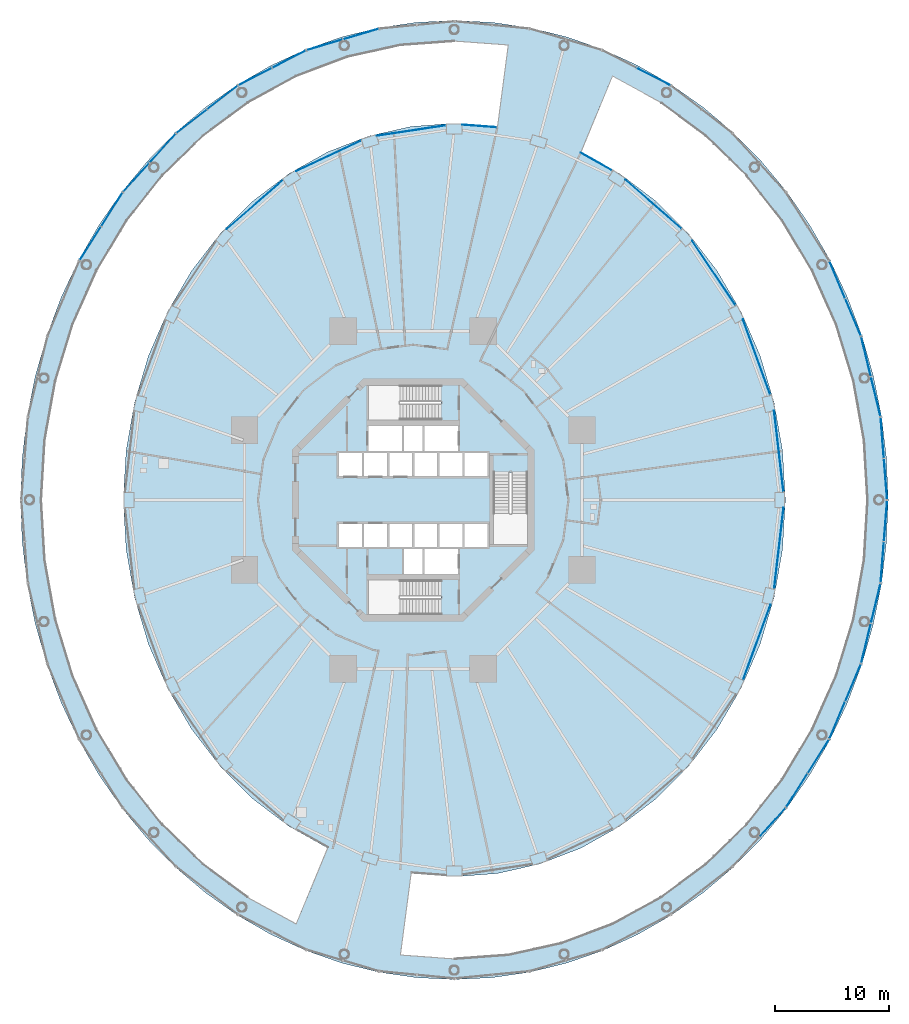
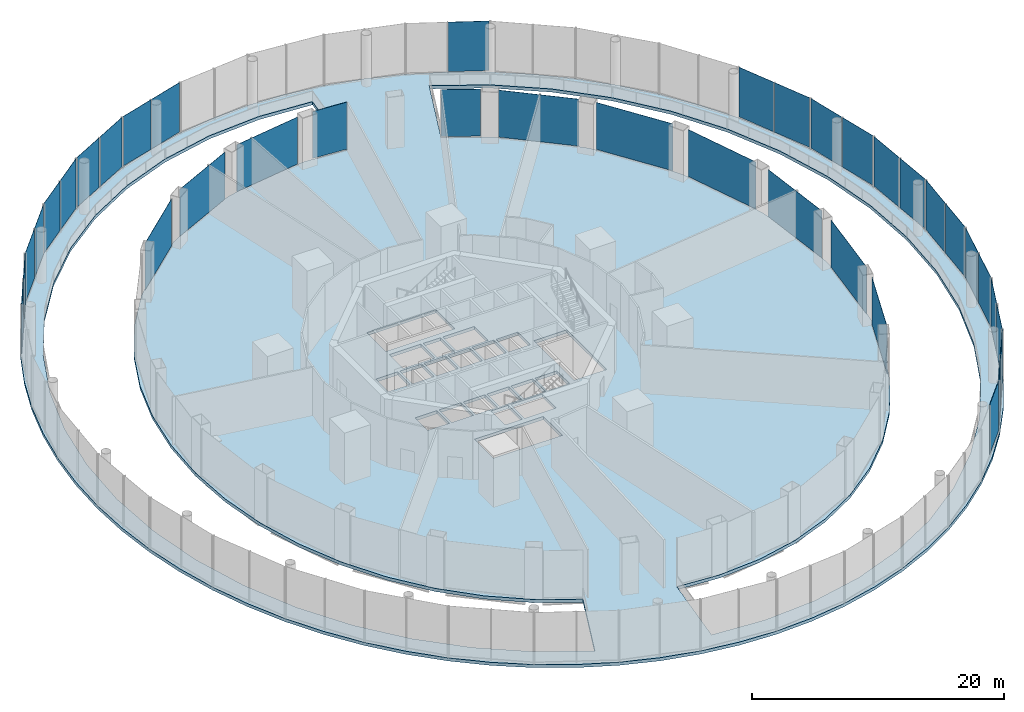
# One storey, part 40 of 47: 37 plates, 1 slab, 25 elements without a shape of their own.
"""IFC4 building model written with IfcOpenShell, lengths in metres."""

from ifc_helpers import new_model, si_unit, direction, frame, origin, origin_2d, place, context, subcontext, project, spatial, polyline, rectangle, outline, extrude, material, layer, layer_set, type_object, element, aggregate, save


model = new_model("IFC4")

# Units and contexts
model_context = context("Model", 3, precision=1e-05, world=origin(), true_north=direction((0.0, 1.0)))
body_context = subcontext(model_context, "Body", "Model", "MODEL_VIEW")
ifc_project = project(units=[si_unit("LENGTHUNIT", "METRE"), si_unit("AREAUNIT", "SQUARE_METRE"), si_unit("VOLUMEUNIT", "CUBIC_METRE"), si_unit("PLANEANGLEUNIT", "RADIAN"), si_unit("MASSUNIT", "GRAM", prefix="KILO")], contexts=[model_context])

# Site, building, storey
site_placement = place(None, origin())
site = spatial("IfcSite", under=ifc_project, at=site_placement, CompositionType="ELEMENT")
building_placement = place(site_placement, origin())
building = spatial("IfcBuilding", under=site, at=building_placement, Name="Nagisa Residences", CompositionType="ELEMENT")
storey_placement = place(building_placement, frame((0.0, 0.0, 7.0)))
storey = spatial("IfcBuildingStorey", under=building, at=storey_placement, Name="L01", CompositionType="ELEMENT", Elevation=7.0)

# Curtain wall, plates
ifc_material_1 = material(Name="Stainless steel curtain wall system", Category="steel")
ifc_layer_1 = layer(ifc_material_1, 0.159912109375)
ifc_layer_set_1 = layer_set([ifc_layer_1], Name="CW3 CURTAIN WALL")
curtain_wall_type_1 = type_object("IfcCurtainWallType", Name="CW3 CURTAIN WALL", PredefinedType="NOTDEFINED", material=ifc_layer_set_1)
curtain_wall_1_placement = place(storey_placement, origin())
curtain_wall_1 = element("IfcCurtainWall", 1, at=curtain_wall_1_placement, inside=storey, type_object=curtain_wall_type_1, Name="cw:CW3:L01:00", PredefinedType="NOTDEFINED")
ifc_material_2 = material(Name="Low-iron laminated glass", Category="glass")
ifc_layer_2 = layer(ifc_material_2, 0.028076171875)
ifc_layer_set_2 = layer_set([ifc_layer_2], Name="CW3 GLASS PANEL")
plate_type_1 = type_object("IfcPlateType", Name="CW3 GLASS PANEL", PredefinedType="CURTAIN_PANEL", material=ifc_layer_set_2)
plate_1_placement = place(storey_placement, frame((41.374267578125, 1.8369140625, 0.2001953125), z_axis=(0.0, 0.0, 1.0), x_axis=(-0.078909582539, 0.996881777235, 0.0)))
plate_1 = element("IfcPlate", 2, at=plate_1_placement, type_object=plate_type_1, Name="CW3 panel", PredefinedType="CURTAIN_PANEL", context=body_context, shape_type="SweptSolid", body=[
    extrude(rectangle(XDim=3.5380859375, YDim=0.028076171875, at=origin_2d()), origin(), (0.0, 0.0, 1.0), 4.800048828125),
])
plate_2_placement = place(storey_placement, frame((41.0888671875, 5.443603515625, 0.2001953125), z_axis=(0.0, 0.0, 1.0), x_axis=(-0.078909582539, 0.996881777235, 0.0)))
plate_2 = element("IfcPlate", 3, at=plate_2_placement, type_object=plate_type_1, Name="CW3 panel", PredefinedType="CURTAIN_PANEL", context=body_context, shape_type="SweptSolid", body=[
    extrude(rectangle(XDim=3.5380859375, YDim=0.028076171875, at=origin_2d()), origin(), (0.0, 0.0, 1.0), 4.800048828125),
])
aggregate(curtain_wall_1, [plate_1, plate_2])

curtain_wall_2_placement = place(storey_placement, origin())
curtain_wall_2 = element("IfcCurtainWall", 4, at=curtain_wall_2_placement, inside=storey, type_object=curtain_wall_type_1, Name="cw:CW3:L01:01", PredefinedType="NOTDEFINED")
plate_3_placement = place(storey_placement, frame((40.51171875, 9.061767578125, 0.2001953125), z_axis=(0.0, 0.0, 1.0), x_axis=(-0.235605514043, 0.971848775146, 0.0)))
plate_3 = element("IfcPlate", 5, at=plate_3_placement, type_object=plate_type_1, Name="CW3 panel", PredefinedType="CURTAIN_PANEL", context=body_context, shape_type="SweptSolid", body=[
    extrude(rectangle(XDim=3.518310546875, YDim=0.028076171875, at=origin_2d()), origin(), (0.0, 0.0, 1.0), 4.800048828125),
])
plate_4_placement = place(storey_placement, frame((39.663818359375, 12.55859375, 0.2001953125), z_axis=(0.0, 0.0, 1.0), x_axis=(-0.235605514043, 0.971848775146, 0.0)))
plate_4 = element("IfcPlate", 6, at=plate_4_placement, type_object=plate_type_1, Name="CW3 panel", PredefinedType="CURTAIN_PANEL", context=body_context, shape_type="SweptSolid", body=[
    extrude(rectangle(XDim=3.518310546875, YDim=0.028076171875, at=origin_2d()), origin(), (0.0, 0.0, 1.0), 4.800048828125),
])
aggregate(curtain_wall_2, [plate_3, plate_4])

curtain_wall_3_placement = place(storey_placement, origin())
curtain_wall_3 = element("IfcCurtainWall", 7, at=curtain_wall_3_placement, inside=storey, type_object=curtain_wall_type_1, Name="cw:CW3:L01:02", PredefinedType="NOTDEFINED")
plate_5_placement = place(storey_placement, frame((38.527099609375, 16.010986328125, 0.2001953125), z_axis=(0.0, 0.0, 1.0), x_axis=(-0.388718029417, 0.921356767819, 0.0)))
plate_5 = element("IfcPlate", 8, at=plate_5_placement, type_object=plate_type_1, Name="CW3 panel", PredefinedType="CURTAIN_PANEL", context=body_context, shape_type="SweptSolid", body=[
    extrude(rectangle(XDim=3.480712890625, YDim=0.028076171875, at=origin_2d()), origin(), (0.0, 0.0, 1.0), 4.800048828125),
])
plate_6_placement = place(storey_placement, frame((37.142822265625, 19.291748046875, 0.2001953125), z_axis=(0.0, 0.0, 1.0), x_axis=(-0.388718029417, 0.921356767819, 0.0)))
plate_6 = element("IfcPlate", 9, at=plate_6_placement, type_object=plate_type_1, Name="CW3 panel", PredefinedType="CURTAIN_PANEL", context=body_context, shape_type="SweptSolid", body=[
    extrude(rectangle(XDim=3.480712890625, YDim=0.028076171875, at=origin_2d()), origin(), (0.0, 0.0, 1.0), 4.800048828125),
])
aggregate(curtain_wall_3, [plate_5, plate_6])

# Curtain wall, plate
curtain_wall_4_placement = place(storey_placement, origin())
curtain_wall_4 = element("IfcCurtainWall", 10, at=curtain_wall_4_placement, inside=storey, type_object=curtain_wall_type_1, Name="cw:CW3:L01:06", PredefinedType="NOTDEFINED")
plate_7_placement = place(storey_placement, frame((21.044677734375, 37.084716796875, 0.2001953125), z_axis=(0.0, 0.0, 1.0), x_axis=(-0.888887270285, 0.45812598783, 0.0)))
plate_7 = element("IfcPlate", 11, at=plate_7_placement, type_object=plate_type_1, Name="CW3 panel", PredefinedType="CURTAIN_PANEL", context=body_context, shape_type="SweptSolid", body=[
    extrude(rectangle(XDim=3.2568359375, YDim=0.028076171875, at=origin_2d()), origin(), (0.0, 0.0, 1.0), 4.800048828125),
])
aggregate(curtain_wall_4, [plate_7])

# Curtain wall, plates
curtain_wall_5_placement = place(storey_placement, origin())
curtain_wall_5 = element("IfcCurtainWall", 12, at=curtain_wall_5_placement, inside=storey, type_object=curtain_wall_type_1, Name="cw:CW3:L01:10", PredefinedType="NOTDEFINED")
plate_8_placement = place(storey_placement, frame((-4.5947265625, 40.805908203125, 0.2001953125), z_axis=(0.0, 0.0, 1.0), x_axis=(-0.958835171393, -0.283963226669, 0.0)))
plate_8 = element("IfcPlate", 13, at=plate_8_placement, type_object=plate_type_1, Name="CW3 panel", PredefinedType="CURTAIN_PANEL", context=body_context, shape_type="SweptSolid", body=[
    extrude(rectangle(XDim=3.21630859375, YDim=0.028076171875, at=origin_2d()), origin(), (0.0, 0.0, 1.0), 4.800048828125),
])
plate_9_placement = place(storey_placement, frame((-7.75537109375, 39.869873046875, 0.2001953125), z_axis=(0.0, 0.0, 1.0), x_axis=(-0.958835171393, -0.283963226669, 0.0)))
plate_9 = element("IfcPlate", 14, at=plate_9_placement, type_object=plate_type_1, Name="CW3 panel", PredefinedType="CURTAIN_PANEL", context=body_context, shape_type="SweptSolid", body=[
    extrude(rectangle(XDim=3.21630859375, YDim=0.028076171875, at=origin_2d()), origin(), (0.0, 0.0, 1.0), 4.800048828125),
])
aggregate(curtain_wall_5, [plate_8, plate_9])

curtain_wall_6_placement = place(storey_placement, origin())
curtain_wall_6 = element("IfcCurtainWall", 15, at=curtain_wall_6_placement, inside=storey, type_object=curtain_wall_type_1, Name="cw:CW3:L01:11", PredefinedType="NOTDEFINED")
plate_10_placement = place(storey_placement, frame((-10.878662109375, 38.61328125, 0.2001953125), z_axis=(0.0, 0.0, 1.0), x_axis=(-0.888887270285, -0.45812598783, 0.0)))
plate_10 = element("IfcPlate", 16, at=plate_10_placement, type_object=plate_type_1, Name="CW3 panel", PredefinedType="CURTAIN_PANEL", context=body_context, shape_type="SweptSolid", body=[
    extrude(rectangle(XDim=3.2568359375, YDim=0.028076171875, at=origin_2d()), origin(), (0.0, 0.0, 1.0), 4.800048828125),
])
plate_11_placement = place(storey_placement, frame((-13.8447265625, 37.084716796875, 0.2001953125), z_axis=(0.0, 0.0, 1.0), x_axis=(-0.888887270285, -0.45812598783, 0.0)))
plate_11 = element("IfcPlate", 17, at=plate_11_placement, type_object=plate_type_1, Name="CW3 panel", PredefinedType="CURTAIN_PANEL", context=body_context, shape_type="SweptSolid", body=[
    extrude(rectangle(XDim=3.2568359375, YDim=0.028076171875, at=origin_2d()), origin(), (0.0, 0.0, 1.0), 4.800048828125),
])
aggregate(curtain_wall_6, [plate_10, plate_11])

curtain_wall_7_placement = place(storey_placement, origin())
curtain_wall_7 = element("IfcCurtainWall", 18, at=curtain_wall_7_placement, inside=storey, type_object=curtain_wall_type_1, Name="cw:CW3:L01:12", PredefinedType="NOTDEFINED")
plate_12_placement = place(storey_placement, frame((-16.723388671875, 35.247802734375, 0.2001953125), z_axis=(0.0, 0.0, 1.0), x_axis=(-0.790830864353, -0.612034757172, 0.0)))
plate_12 = element("IfcPlate", 19, at=plate_12_placement, type_object=plate_type_1, Name="CW3 panel", PredefinedType="CURTAIN_PANEL", context=body_context, shape_type="SweptSolid", body=[
    extrude(rectangle(XDim=3.310546875, YDim=0.028076171875, at=origin_2d()), origin(), (0.0, 0.0, 1.0), 4.800048828125),
])
plate_13_placement = place(storey_placement, frame((-19.40478515625, 33.172607421875, 0.2001953125), z_axis=(0.0, 0.0, 1.0), x_axis=(-0.790830864353, -0.612034757172, 0.0)))
plate_13 = element("IfcPlate", 20, at=plate_13_placement, type_object=plate_type_1, Name="CW3 panel", PredefinedType="CURTAIN_PANEL", context=body_context, shape_type="SweptSolid", body=[
    extrude(rectangle(XDim=3.310546875, YDim=0.028076171875, at=origin_2d()), origin(), (0.0, 0.0, 1.0), 4.800048828125),
])
aggregate(curtain_wall_7, [plate_12, plate_13])

curtain_wall_8_placement = place(storey_placement, origin())
curtain_wall_8 = element("IfcCurtainWall", 21, at=curtain_wall_8_placement, inside=storey, type_object=curtain_wall_type_1, Name="cw:CW3:L01:13", PredefinedType="NOTDEFINED")
plate_14_placement = place(storey_placement, frame((-21.950927734375, 30.811279296875, 0.2001953125), z_axis=(0.0, 0.0, 1.0), x_axis=(-0.670913323971, -0.741535779122, 0.0)))
plate_14 = element("IfcPlate", 22, at=plate_14_placement, type_object=plate_type_1, Name="CW3 panel", PredefinedType="CURTAIN_PANEL", context=body_context, shape_type="SweptSolid", body=[
    extrude(rectangle(XDim=3.37060546875, YDim=0.028076171875, at=origin_2d()), origin(), (0.0, 0.0, 1.0), 4.800048828125),
])
plate_15_placement = place(storey_placement, frame((-24.26611328125, 28.25244140625, 0.2001953125), z_axis=(0.0, 0.0, 1.0), x_axis=(-0.670913323971, -0.741535779122, 0.0)))
plate_15 = element("IfcPlate", 23, at=plate_15_placement, type_object=plate_type_1, Name="CW3 panel", PredefinedType="CURTAIN_PANEL", context=body_context, shape_type="SweptSolid", body=[
    extrude(rectangle(XDim=3.37060546875, YDim=0.028076171875, at=origin_2d()), origin(), (0.0, 0.0, 1.0), 4.800048828125),
])
aggregate(curtain_wall_8, [plate_14, plate_15])

curtain_wall_9_placement = place(storey_placement, origin())
curtain_wall_9 = element("IfcCurtainWall", 24, at=curtain_wall_9_placement, inside=storey, type_object=curtain_wall_type_1, Name="cw:CW3:L01:14", PredefinedType="NOTDEFINED")
plate_16_placement = place(storey_placement, frame((-26.402587890625, 25.43798828125, 0.2001953125), z_axis=(0.0, 0.0, 1.0), x_axis=(-0.535165286856, -0.844747368001, 0.0)))
plate_16 = element("IfcPlate", 25, at=plate_16_placement, type_object=plate_type_1, Name="CW3 panel", PredefinedType="CURTAIN_PANEL", context=body_context, shape_type="SweptSolid", body=[
    extrude(rectangle(XDim=3.4296875, YDim=0.028076171875, at=origin_2d()), origin(), (0.0, 0.0, 1.0), 4.800048828125),
])
plate_17_placement = place(storey_placement, frame((-28.28076171875, 22.473388671875, 0.2001953125), z_axis=(0.0, 0.0, 1.0), x_axis=(-0.535165286856, -0.844747368001, 0.0)))
plate_17 = element("IfcPlate", 26, at=plate_17_placement, type_object=plate_type_1, Name="CW3 panel", PredefinedType="CURTAIN_PANEL", context=body_context, shape_type="SweptSolid", body=[
    extrude(rectangle(XDim=3.4296875, YDim=0.028076171875, at=origin_2d()), origin(), (0.0, 0.0, 1.0), 4.800048828125),
])
aggregate(curtain_wall_9, [plate_16, plate_17])

# Curtain wall, plate
curtain_wall_10_placement = place(storey_placement, origin())
curtain_wall_10 = element("IfcCurtainWall", 27, at=curtain_wall_10_placement, inside=storey, type_object=curtain_wall_type_1, Name="cw:CW3:L01:31", PredefinedType="NOTDEFINED")
plate_18_placement = place(storey_placement, frame((31.466064453125, -28.25244140625, 0.2001953125), z_axis=(0.0, 0.0, 1.0), x_axis=(0.670913323971, 0.741535779122, 0.0)))
plate_18 = element("IfcPlate", 28, at=plate_18_placement, type_object=plate_type_1, Name="CW3 panel", PredefinedType="CURTAIN_PANEL", context=body_context, shape_type="SweptSolid", body=[
    extrude(rectangle(XDim=3.37060546875, YDim=0.028076171875, at=origin_2d()), origin(), (0.0, 0.0, 1.0), 4.800048828125),
])
aggregate(curtain_wall_10, [plate_18])

# Curtain wall, plates
curtain_wall_11_placement = place(storey_placement, origin())
curtain_wall_11 = element("IfcCurtainWall", 29, at=curtain_wall_11_placement, inside=storey, type_object=curtain_wall_type_1, Name="cw:CW3:L01:32", PredefinedType="NOTDEFINED")
plate_19_placement = place(storey_placement, frame((33.6025390625, -25.43798828125, 0.2001953125), z_axis=(0.0, 0.0, 1.0), x_axis=(0.535165286856, 0.844747368001, 0.0)))
plate_19 = element("IfcPlate", 30, at=plate_19_placement, type_object=plate_type_1, Name="CW3 panel", PredefinedType="CURTAIN_PANEL", context=body_context, shape_type="SweptSolid", body=[
    extrude(rectangle(XDim=3.4296875, YDim=0.028076171875, at=origin_2d()), origin(), (0.0, 0.0, 1.0), 4.800048828125),
])
plate_20_placement = place(storey_placement, frame((35.48095703125, -22.473388671875, 0.2001953125), z_axis=(0.0, 0.0, 1.0), x_axis=(0.535165286856, 0.844747368001, 0.0)))
plate_20 = element("IfcPlate", 31, at=plate_20_placement, type_object=plate_type_1, Name="CW3 panel", PredefinedType="CURTAIN_PANEL", context=body_context, shape_type="SweptSolid", body=[
    extrude(rectangle(XDim=3.4296875, YDim=0.028076171875, at=origin_2d()), origin(), (0.0, 0.0, 1.0), 4.800048828125),
])
aggregate(curtain_wall_11, [plate_19, plate_20])

curtain_wall_12_placement = place(storey_placement, origin())
curtain_wall_12 = element("IfcCurtainWall", 32, at=curtain_wall_12_placement, inside=storey, type_object=curtain_wall_type_1, Name="cw:CW3:L01:33", PredefinedType="NOTDEFINED")
plate_21_placement = place(storey_placement, frame((37.142822265625, -19.291748046875, 0.2001953125), z_axis=(0.0, 0.0, 1.0), x_axis=(0.388718029417, 0.921356767819, 0.0)))
plate_21 = element("IfcPlate", 33, at=plate_21_placement, type_object=plate_type_1, Name="CW3 panel", PredefinedType="CURTAIN_PANEL", context=body_context, shape_type="SweptSolid", body=[
    extrude(rectangle(XDim=3.480712890625, YDim=0.028076171875, at=origin_2d()), origin(), (0.0, 0.0, 1.0), 4.800048828125),
])
plate_22_placement = place(storey_placement, frame((38.527099609375, -16.010986328125, 0.2001953125), z_axis=(0.0, 0.0, 1.0), x_axis=(0.388718029417, 0.921356767819, 0.0)))
plate_22 = element("IfcPlate", 34, at=plate_22_placement, type_object=plate_type_1, Name="CW3 panel", PredefinedType="CURTAIN_PANEL", context=body_context, shape_type="SweptSolid", body=[
    extrude(rectangle(XDim=3.480712890625, YDim=0.028076171875, at=origin_2d()), origin(), (0.0, 0.0, 1.0), 4.800048828125),
])
aggregate(curtain_wall_12, [plate_21, plate_22])

curtain_wall_13_placement = place(storey_placement, origin())
curtain_wall_13 = element("IfcCurtainWall", 35, at=curtain_wall_13_placement, inside=storey, type_object=curtain_wall_type_1, Name="cw:CW3:L01:34", PredefinedType="NOTDEFINED")
plate_23_placement = place(storey_placement, frame((39.663818359375, -12.55859375, 0.2001953125), z_axis=(0.0, 0.0, 1.0), x_axis=(0.235605514043, 0.971848775146, 0.0)))
plate_23 = element("IfcPlate", 36, at=plate_23_placement, type_object=plate_type_1, Name="CW3 panel", PredefinedType="CURTAIN_PANEL", context=body_context, shape_type="SweptSolid", body=[
    extrude(rectangle(XDim=3.518310546875, YDim=0.028076171875, at=origin_2d()), origin(), (0.0, 0.0, 1.0), 4.800048828125),
])
plate_24_placement = place(storey_placement, frame((40.51171875, -9.061767578125, 0.2001953125), z_axis=(0.0, 0.0, 1.0), x_axis=(0.235605514043, 0.971848775146, 0.0)))
plate_24 = element("IfcPlate", 37, at=plate_24_placement, type_object=plate_type_1, Name="CW3 panel", PredefinedType="CURTAIN_PANEL", context=body_context, shape_type="SweptSolid", body=[
    extrude(rectangle(XDim=3.518310546875, YDim=0.028076171875, at=origin_2d()), origin(), (0.0, 0.0, 1.0), 4.800048828125),
])
aggregate(curtain_wall_13, [plate_23, plate_24])

curtain_wall_14_placement = place(storey_placement, origin())
curtain_wall_14 = element("IfcCurtainWall", 38, at=curtain_wall_14_placement, inside=storey, type_object=curtain_wall_type_1, Name="cw:CW3:L01:35", PredefinedType="NOTDEFINED")
plate_25_placement = place(storey_placement, frame((41.0888671875, -5.443603515625, 0.2001953125), z_axis=(0.0, 0.0, 1.0), x_axis=(0.078909582539, 0.996881777235, 0.0)))
plate_25 = element("IfcPlate", 39, at=plate_25_placement, type_object=plate_type_1, Name="CW3 panel", PredefinedType="CURTAIN_PANEL", context=body_context, shape_type="SweptSolid", body=[
    extrude(rectangle(XDim=3.5380859375, YDim=0.028076171875, at=origin_2d()), origin(), (0.0, 0.0, 1.0), 4.800048828125),
])
plate_26_placement = place(storey_placement, frame((41.374267578125, -1.8369140625, 0.2001953125), z_axis=(0.0, 0.0, 1.0), x_axis=(0.078909582539, 0.996881777235, 0.0)))
plate_26 = element("IfcPlate", 40, at=plate_26_placement, type_object=plate_type_1, Name="CW3 panel", PredefinedType="CURTAIN_PANEL", context=body_context, shape_type="SweptSolid", body=[
    extrude(rectangle(XDim=3.5380859375, YDim=0.028076171875, at=origin_2d()), origin(), (0.0, 0.0, 1.0), 4.800048828125),
])
aggregate(curtain_wall_14, [plate_25, plate_26])

# Curtain wall, plate
ifc_material_3 = material(Name="Stainless steel curtain wall system", Category="steel")
ifc_layer_3 = layer(ifc_material_3, 0.159912109375)
ifc_layer_set_3 = layer_set([ifc_layer_3], Name="CW6 CURTAIN WALL")
curtain_wall_type_2 = type_object("IfcCurtainWallType", Name="CW6 CURTAIN WALL", PredefinedType="NOTDEFINED", material=ifc_layer_set_3)
curtain_wall_15_placement = place(storey_placement, origin())
curtain_wall_15 = element("IfcCurtainWall", 41, at=curtain_wall_15_placement, inside=storey, type_object=curtain_wall_type_2, Name="cw:CW6:L01:00", PredefinedType="NOTDEFINED")
ifc_material_4 = material(Name="Low-iron laminated glass", Category="glass")
ifc_layer_4 = layer(ifc_material_4, 0.028076171875)
ifc_layer_set_4 = layer_set([ifc_layer_4], Name="CW6 GLASS PANEL")
plate_type_2 = type_object("IfcPlateType", Name="CW6 GLASS PANEL", PredefinedType="CURTAIN_PANEL", material=ifc_layer_set_4)
plate_27_placement = place(storey_placement, frame((32.02294921875, 4.291015625, 0.14990234375), z_axis=(0.0, 0.0, 1.0), x_axis=(-0.114928006139, 0.993373823596, 0.0)))
plate_27 = element("IfcPlate", 42, at=plate_27_placement, type_object=plate_type_2, Name="CW6 panel", PredefinedType="CURTAIN_PANEL", context=body_context, shape_type="SweptSolid", body=[
    extrude(rectangle(XDim=7.137939453125, YDim=0.028076171875, at=origin_2d()), origin(), (0.0, 0.0, 1.0), 4.550048828125),
])
aggregate(curtain_wall_15, [plate_27])

curtain_wall_16_placement = place(storey_placement, origin())
curtain_wall_16 = element("IfcCurtainWall", 43, at=curtain_wall_16_placement, inside=storey, type_object=curtain_wall_type_2, Name="cw:CW6:L01:02", PredefinedType="NOTDEFINED")
plate_28_placement = place(storey_placement, frame((30.077880859375, 12.521240234375, 0.14990234375), z_axis=(0.0, 0.0, 1.0), x_axis=(-0.342049702176, 0.939681861718, 0.0)))
plate_28 = element("IfcPlate", 44, at=plate_28_placement, type_object=plate_type_2, Name="CW6 panel", PredefinedType="CURTAIN_PANEL", context=body_context, shape_type="SweptSolid", body=[
    extrude(rectangle(XDim=7.009765625, YDim=0.028076171875, at=origin_2d()), origin(), (0.0, 0.0, 1.0), 4.550048828125),
])
aggregate(curtain_wall_16, [plate_28])

curtain_wall_17_placement = place(storey_placement, origin())
curtain_wall_17 = element("IfcCurtainWall", 45, at=curtain_wall_17_placement, inside=storey, type_object=curtain_wall_type_2, Name="cw:CW6:L01:04", PredefinedType="NOTDEFINED")
plate_29_placement = place(storey_placement, frame((26.327392578125, 19.8974609375, 0.14990234375), z_axis=(0.0, 0.0, 1.0), x_axis=(-0.559084136544, 0.829110926393, 0.0)))
plate_29 = element("IfcPlate", 46, at=plate_29_placement, type_object=plate_type_2, Name="CW6 panel", PredefinedType="CURTAIN_PANEL", context=body_context, shape_type="SweptSolid", body=[
    extrude(rectangle(XDim=6.783203125, YDim=0.028076171875, at=origin_2d()), origin(), (0.0, 0.0, 1.0), 4.550048828125),
])
aggregate(curtain_wall_17, [plate_29])

curtain_wall_18_placement = place(storey_placement, origin())
curtain_wall_18 = element("IfcCurtainWall", 47, at=curtain_wall_18_placement, inside=storey, type_object=curtain_wall_type_2, Name="cw:CW6:L01:06", PredefinedType="NOTDEFINED")
plate_30_placement = place(storey_placement, frame((21.02783203125, 25.916259765625, 0.14990234375), z_axis=(0.0, 0.0, 1.0), x_axis=(-0.753261216572, 0.657721475708, 0.0)))
plate_30 = element("IfcPlate", 48, at=plate_30_placement, type_object=plate_type_2, Name="CW6 panel", PredefinedType="CURTAIN_PANEL", context=body_context, shape_type="SweptSolid", body=[
    extrude(rectangle(XDim=6.513427734375, YDim=0.028076171875, at=origin_2d()), origin(), (0.0, 0.0, 1.0), 4.550048828125),
])
aggregate(curtain_wall_18, [plate_30])

curtain_wall_19_placement = place(storey_placement, origin())
curtain_wall_19 = element("IfcCurtainWall", 49, at=curtain_wall_19_placement, inside=storey, type_object=curtain_wall_type_2, Name="cw:CW6:L01:08", PredefinedType="NOTDEFINED")
plate_31_placement = place(storey_placement, frame((16.0283203125, 29.649658203125, 0.14990234375), z_axis=(0.0, 0.0, 1.0), x_axis=(-0.872072377523, 0.489376918501, 0.0)))
plate_31 = element("IfcPlate", 50, at=plate_31_placement, type_object=plate_type_2, Name="CW6 panel", PredefinedType="CURTAIN_PANEL", context=body_context, shape_type="SweptSolid", body=[
    extrude(rectangle(XDim=3.141357421875, YDim=0.028076171875, at=origin_2d()), origin(), (0.0, 0.0, 1.0), 4.550048828125),
])
aggregate(curtain_wall_19, [plate_31])

curtain_wall_20_placement = place(storey_placement, origin())
curtain_wall_20 = element("IfcCurtainWall", 51, at=curtain_wall_20_placement, inside=storey, type_object=curtain_wall_type_2, Name="cw:CW6:L01:11", PredefinedType="NOTDEFINED")
plate_32_placement = place(storey_placement, frame((5.805908203125, 32.75537109375, 0.14990234375), z_axis=(0.0, 0.0, 1.0), x_axis=(-0.997230168512, 0.074377355493, 0.0)))
plate_32 = element("IfcPlate", 52, at=plate_32_placement, type_object=plate_type_2, Name="CW6 panel", PredefinedType="CURTAIN_PANEL", context=body_context, shape_type="SweptSolid", body=[
    extrude(rectangle(XDim=3.035888671875, YDim=0.028076171875, at=origin_2d()), origin(), (0.0, 0.0, 1.0), 4.550048828125),
])
aggregate(curtain_wall_20, [plate_32])

curtain_wall_21_placement = place(storey_placement, origin())
curtain_wall_21 = element("IfcCurtainWall", 53, at=curtain_wall_21_placement, inside=storey, type_object=curtain_wall_type_2, Name="cw:CW6:L01:12", PredefinedType="NOTDEFINED")
plate_33_placement = place(storey_placement, frame((-0.170654296875, 32.354248046875, 0.14990234375), z_axis=(0.0, 0.0, 1.0), x_axis=(-0.988963689083, -0.148158096894, 0.0)))
plate_33 = element("IfcPlate", 54, at=plate_33_placement, type_object=plate_type_2, Name="CW6 panel", PredefinedType="CURTAIN_PANEL", context=body_context, shape_type="SweptSolid", body=[
    extrude(rectangle(XDim=6.12939453125, YDim=0.028076171875, at=origin_2d()), origin(), (0.0, 0.0, 1.0), 4.550048828125),
])
aggregate(curtain_wall_21, [plate_33])

curtain_wall_22_placement = place(storey_placement, origin())
curtain_wall_22 = element("IfcCurtainWall", 55, at=curtain_wall_22_placement, inside=storey, type_object=curtain_wall_type_2, Name="cw:CW6:L01:14", PredefinedType="NOTDEFINED")
plate_34_placement = place(storey_placement, frame((-7.39599609375, 30.14208984375, 0.14990234375), z_axis=(0.0, 0.0, 1.0), x_axis=(-0.904554286432, -0.426358467603, 0.0)))
plate_34 = element("IfcPlate", 56, at=plate_34_placement, type_object=plate_type_2, Name="CW6 panel", PredefinedType="CURTAIN_PANEL", context=body_context, shape_type="SweptSolid", body=[
    extrude(rectangle(XDim=6.272216796875, YDim=0.028076171875, at=origin_2d()), origin(), (0.0, 0.0, 1.0), 4.550048828125),
])
aggregate(curtain_wall_22, [plate_34])

curtain_wall_23_placement = place(storey_placement, origin())
curtain_wall_23 = element("IfcCurtainWall", 57, at=curtain_wall_23_placement, inside=storey, type_object=curtain_wall_type_2, Name="cw:CW6:L01:16", PredefinedType="NOTDEFINED")
plate_35_placement = place(storey_placement, frame((-13.873046875, 25.876708984375, 0.14990234375), z_axis=(0.0, 0.0, 1.0), x_axis=(-0.753261216572, -0.657721475708, 0.0)))
plate_35 = element("IfcPlate", 58, at=plate_35_placement, type_object=plate_type_2, Name="CW6 panel", PredefinedType="CURTAIN_PANEL", context=body_context, shape_type="SweptSolid", body=[
    extrude(rectangle(XDim=6.513427734375, YDim=0.028076171875, at=origin_2d()), origin(), (0.0, 0.0, 1.0), 4.550048828125),
])
aggregate(curtain_wall_23, [plate_35])

curtain_wall_24_placement = place(storey_placement, origin())
curtain_wall_24 = element("IfcCurtainWall", 59, at=curtain_wall_24_placement, inside=storey, type_object=curtain_wall_type_2, Name="cw:CW6:L01:44", PredefinedType="NOTDEFINED")
plate_36_placement = place(storey_placement, frame((30.098388671875, -12.46484375, 0.14990234375), z_axis=(0.0, 0.0, 1.0), x_axis=(0.342049702176, 0.939681861718, 0.0)))
plate_36 = element("IfcPlate", 60, at=plate_36_placement, type_object=plate_type_2, Name="CW6 panel", PredefinedType="CURTAIN_PANEL", context=body_context, shape_type="SweptSolid", body=[
    extrude(rectangle(XDim=7.009765625, YDim=0.028076171875, at=origin_2d()), origin(), (0.0, 0.0, 1.0), 4.550048828125),
])
aggregate(curtain_wall_24, [plate_36])

curtain_wall_25_placement = place(storey_placement, origin())
curtain_wall_25 = element("IfcCurtainWall", 61, at=curtain_wall_25_placement, inside=storey, type_object=curtain_wall_type_2, Name="cw:CW6:L01:46", PredefinedType="NOTDEFINED")
plate_37_placement = place(storey_placement, frame((32.02978515625, -4.2314453125, 0.14990234375), z_axis=(0.0, 0.0, 1.0), x_axis=(0.114928006139, 0.993373823596, 0.0)))
plate_37 = element("IfcPlate", 62, at=plate_37_placement, type_object=plate_type_2, Name="CW6 panel", PredefinedType="CURTAIN_PANEL", context=body_context, shape_type="SweptSolid", body=[
    extrude(rectangle(XDim=7.137939453125, YDim=0.028076171875, at=origin_2d()), origin(), (0.0, 0.0, 1.0), 4.550048828125),
])
aggregate(curtain_wall_25, [plate_37])

# Slab
ifc_material_5 = material(Name="Concrete C40", Category="concrete")
ifc_layer_5 = layer(ifc_material_5, 0.300048828125)
ifc_layer_set_5 = layer_set([ifc_layer_5], Name="Floor slab 300")
slab_type = type_object("IfcSlabType", Name="Floor slab 300", PredefinedType="FLOOR", material=ifc_layer_set_5)
slab_placement = place(storey_placement, frame((0.0, 0.0, -0.300048828125)))
element("IfcSlab", 63, at=slab_placement, inside=storey, type_object=slab_type, Name="slab:L01:floor", PredefinedType="FLOOR", context=body_context, shape_type="SweptSolid", body=[
    extrude(outline(polyline([(41.60009765625, 0.0), (41.455322265625, 3.66064453125), (41.022705078125, 7.293212890625), (40.30517578125, 10.870361328125), (39.308349609375, 14.36474609375), (38.039794921875, 17.75), (36.509033203125, 21.0), (34.727783203125, 24.09033203125), (32.709716796875, 26.9970703125), (30.469970703125, 29.698486328125), (28.02587890625, 32.173828125), (25.39599609375, 34.404296875), (22.60009765625, 36.373046875), (19.659423828125, 38.06494140625), (16.5966796875, 39.467041015625), (13.43505859375, 40.56884765625), (10.19873046875, 41.36181640625), (6.911865234375, 41.840087890625), (3.60009765625, 42.0), (0.2880859375, 41.840087890625), (-2.99853515625, 41.36181640625), (-6.235107421875, 40.56884765625), (-9.396728515625, 39.467041015625), (-12.45947265625, 38.06494140625), (-15.39990234375, 36.373046875), (-18.19580078125, 34.404296875), (-20.825927734375, 32.173828125), (-23.27001953125, 29.698486328125), (-25.509765625, 26.9970703125), (-27.52783203125, 24.09033203125), (-29.30908203125, 21.0), (-30.839599609375, 17.75), (-32.1083984375, 14.36474609375), (-33.105224609375, 10.870361328125), (-33.82275390625, 7.293212890625), (-34.25537109375, 3.66064453125), (-34.39990234375, 0.0), (-34.25537109375, -3.66064453125), (-33.82275390625, -7.293212890625), (-33.105224609375, -10.870361328125), (-32.1083984375, -14.36474609375), (-30.839599609375, -17.75), (-29.30908203125, -21.0), (-27.52783203125, -24.09033203125), (-25.509765625, -26.9970703125), (-23.27001953125, -29.698486328125), (-20.825927734375, -32.173828125), (-18.19580078125, -34.404296875), (-15.39990234375, -36.373046875), (-12.45947265625, -38.06494140625), (-9.396728515625, -39.467041015625), (-6.235107421875, -40.56884765625), (-2.99853515625, -41.36181640625), (0.2880859375, -41.840087890625), (3.60009765625, -42.0), (6.911865234375, -41.840087890625), (10.19873046875, -41.36181640625), (13.43505859375, -40.56884765625), (16.5966796875, -39.467041015625), (19.659423828125, -38.06494140625), (22.60009765625, -36.373046875), (25.39599609375, -34.404296875), (28.02587890625, -32.173828125), (30.469970703125, -29.698486328125), (32.709716796875, -26.9970703125), (34.727783203125, -24.09033203125), (36.509033203125, -21.0), (38.039794921875, -17.75), (39.308349609375, -14.36474609375), (40.30517578125, -10.870361328125), (41.022705078125, -7.293212890625), (41.455322265625, -3.66064453125), (41.60009765625, 0.0)]), holes=[polyline([(-4.5, 2.10009765625), (-4.5, 4.10009765625), (-6.5, 4.10009765625), (-6.5, 2.10009765625), (-4.5, 2.10009765625)]), polyline([(-2.300048828125, 2.10009765625), (-2.300048828125, 4.10009765625), (-4.300048828125, 4.10009765625), (-4.300048828125, 2.10009765625), (-2.300048828125, 2.10009765625)]), polyline([(-0.10009765625, 2.10009765625), (-0.10009765625, 4.10009765625), (-2.10009765625, 4.10009765625), (-2.10009765625, 2.10009765625), (-0.10009765625, 2.10009765625)]), polyline([(2.10009765625, 2.10009765625), (2.10009765625, 4.10009765625), (0.10009765625, 4.10009765625), (0.10009765625, 2.10009765625), (2.10009765625, 2.10009765625)]), polyline([(4.300048828125, 2.10009765625), (4.300048828125, 4.10009765625), (2.300048828125, 4.10009765625), (2.300048828125, 2.10009765625), (4.300048828125, 2.10009765625)]), polyline([(6.5, 2.10009765625), (6.5, 4.10009765625), (4.5, 4.10009765625), (4.5, 2.10009765625), (6.5, 2.10009765625)]), polyline([(-4.5, -4.10009765625), (-4.5, -2.10009765625), (-6.5, -2.10009765625), (-6.5, -4.10009765625), (-4.5, -4.10009765625)]), polyline([(-2.300048828125, -4.10009765625), (-2.300048828125, -2.10009765625), (-4.300048828125, -2.10009765625), (-4.300048828125, -4.10009765625), (-2.300048828125, -4.10009765625)]), polyline([(-0.10009765625, -4.10009765625), (-0.10009765625, -2.10009765625), (-2.10009765625, -2.10009765625), (-2.10009765625, -4.10009765625), (-0.10009765625, -4.10009765625)]), polyline([(2.10009765625, -4.10009765625), (2.10009765625, -2.10009765625), (0.10009765625, -2.10009765625), (0.10009765625, -4.10009765625), (2.10009765625, -4.10009765625)]), polyline([(4.300048828125, -4.10009765625), (4.300048828125, -2.10009765625), (2.300048828125, -2.10009765625), (2.300048828125, -4.10009765625), (4.300048828125, -4.10009765625)]), polyline([(6.5, -4.10009765625), (6.5, -2.10009765625), (4.5, -2.10009765625), (4.5, -4.10009765625), (6.5, -4.10009765625)]), polyline([(3.89990234375, 4.300048828125), (3.89990234375, 6.5), (1.0, 6.5), (1.0, 4.300048828125), (3.89990234375, 4.300048828125)]), polyline([(3.89990234375, -6.5), (3.89990234375, -4.300048828125), (1.0, -4.300048828125), (1.0, -6.5), (3.89990234375, -6.5)]), polyline([(-1.0, 4.300048828125), (-1.0, 6.5), (-3.89990234375, 6.5), (-3.89990234375, 4.300048828125), (-1.0, 4.300048828125)]), polyline([(0.800048828125, 4.300048828125), (0.800048828125, 6.5), (-0.800048828125, 6.5), (-0.800048828125, 4.300048828125), (0.800048828125, 4.300048828125)]), polyline([(0.800048828125, -6.5), (0.800048828125, -4.300048828125), (-0.800048828125, -4.300048828125), (-0.800048828125, -6.5), (0.800048828125, -6.5)]), polyline([(10.024658203125, -3.89990234375), (7.024658203125, -3.89990234375), (7.024658203125, 2.425048828125), (10.024658203125, 2.425048828125), (10.024658203125, -3.89990234375)]), polyline([(-3.89990234375, 7.024658203125), (-3.89990234375, 10.024658203125), (2.425048828125, 10.024658203125), (2.425048828125, 7.024658203125), (-3.89990234375, 7.024658203125)]), polyline([(-3.89990234375, -10.024658203125), (-3.89990234375, -7.024658203125), (2.425048828125, -7.024658203125), (2.425048828125, -10.024658203125), (-3.89990234375, -10.024658203125)]), polyline([(8.324951171875, 39.856201171875), (3.60009765625, 40.199951171875), (-1.125, 39.856201171875), (-5.769287109375, 38.830322265625), (-10.253173828125, 37.139892578125), (-14.5, 34.814208984375), (-18.437255859375, 31.892822265625), (-21.997314453125, 28.42578125), (-25.119384765625, 24.47216796875), (-27.75, 20.10009765625), (-29.844482421875, 15.3837890625), (-31.366455078125, 10.404541015625), (-32.290283203125, 5.2470703125), (-32.60009765625, 0.0), (-32.290283203125, -5.2470703125), (-31.366455078125, -10.404541015625), (-29.844482421875, -15.3837890625), (-27.75, -20.10009765625), (-25.119384765625, -24.47216796875), (-21.997314453125, -28.42578125), (-18.437255859375, -31.892822265625), (-14.5, -34.814208984375), (-10.253173828125, -37.139892578125), (-7.497802734375, -30.488037109375), (-10.89990234375, -28.578857421875), (-14.05419921875, -26.1806640625), (-16.906005859375, -23.33447265625), (-19.4072265625, -20.089111328125), (-21.5146484375, -16.5), (-23.192626953125, -12.628662109375), (-24.411865234375, -8.541015625), (-25.15185546875, -4.307373046875), (-25.39990234375, 0.0), (-25.15185546875, 4.307373046875), (-24.411865234375, 8.541015625), (-23.192626953125, 12.628662109375), (-21.5146484375, 16.5), (-19.4072265625, 20.089111328125), (-16.906005859375, 23.33447265625), (-14.05419921875, 26.1806640625), (-10.89990234375, 28.578857421875), (-7.497802734375, 30.488037109375), (-3.90576171875, 31.87548828125), (-0.185302734375, 32.7177734375), (3.60009765625, 33.0), (7.38525390625, 32.7177734375), (8.324951171875, 39.856201171875)]), polyline([(-1.125, -39.856201171875), (3.60009765625, -40.199951171875), (8.324951171875, -39.856201171875), (12.96923828125, -38.830322265625), (17.453125, -37.139892578125), (21.699951171875, -34.814208984375), (25.63720703125, -31.892822265625), (29.197265625, -28.42578125), (32.3193359375, -24.47216796875), (34.9501953125, -20.10009765625), (37.04443359375, -15.3837890625), (38.56640625, -10.404541015625), (39.490234375, -5.2470703125), (39.800048828125, 0.0), (39.490234375, 5.2470703125), (38.56640625, 10.404541015625), (37.04443359375, 15.3837890625), (34.9501953125, 20.10009765625), (32.3193359375, 24.47216796875), (29.197265625, 28.42578125), (25.63720703125, 31.892822265625), (21.699951171875, 34.814208984375), (17.453125, 37.139892578125), (14.69775390625, 30.488037109375), (18.10009765625, 28.578857421875), (21.254150390625, 26.1806640625), (24.106201171875, 23.33447265625), (26.607177734375, 20.089111328125), (28.71484375, 16.5), (30.392578125, 12.628662109375), (31.61181640625, 8.541015625), (32.351806640625, 4.307373046875), (32.60009765625, 0.0), (32.351806640625, -4.307373046875), (31.61181640625, -8.541015625), (30.392578125, -12.628662109375), (28.71484375, -16.5), (26.607177734375, -20.089111328125), (24.106201171875, -23.33447265625), (21.254150390625, -26.1806640625), (18.10009765625, -28.578857421875), (14.69775390625, -30.488037109375), (11.105712890625, -31.87548828125), (7.38525390625, -32.7177734375), (3.60009765625, -33.0), (-0.185302734375, -32.7177734375), (-1.125, -39.856201171875)])]), origin(), (0.0, 0.0, 1.0), 0.300048828125),
])

save(model, "model.ifc")
